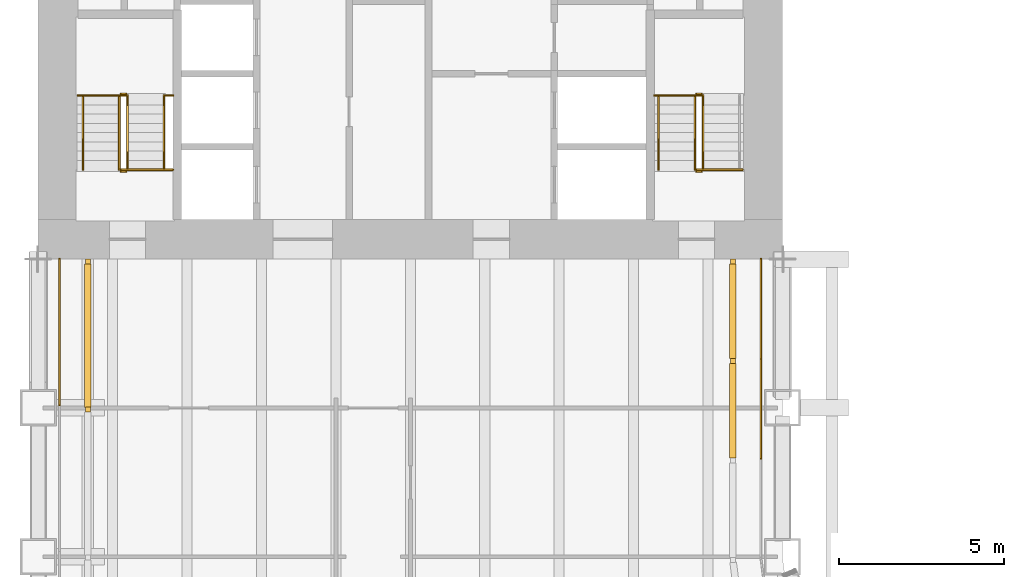
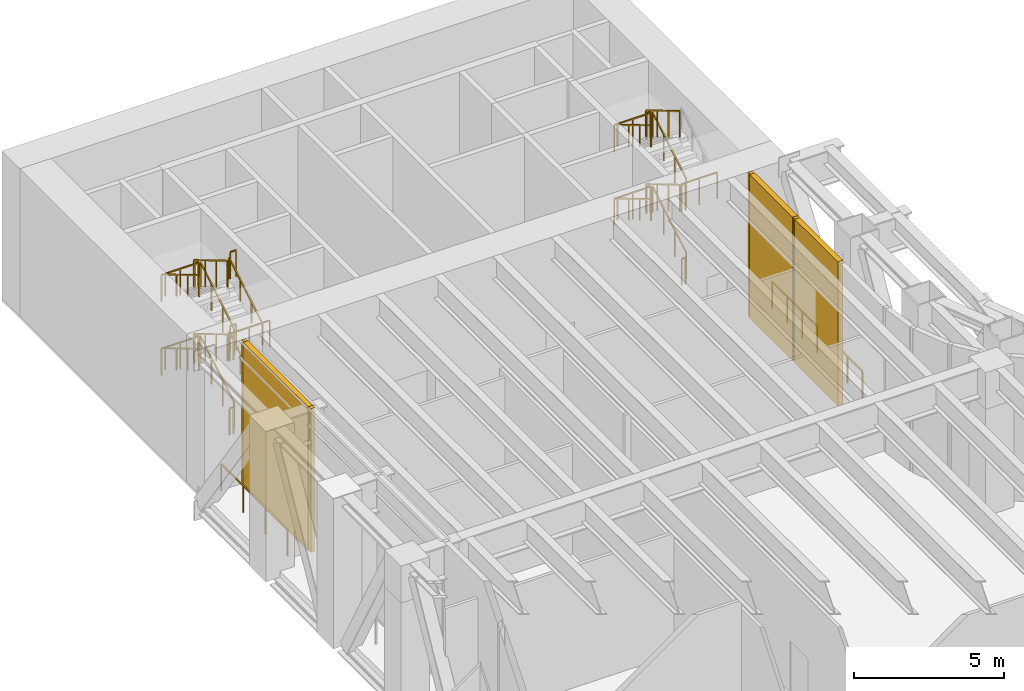
# One storey, part 18 of 19: 33 railings, 7 shading devices.
"""IFC4 building model written with IfcOpenShell, lengths in metres."""

from ifc_helpers import new_model, si_unit, direction, frame, origin, origin_2d, place, context, subcontext, project, spatial, rectangle, extrude, material, layer, layer_set, type_object, element, save


model = new_model("IFC4")

# Units and contexts
model_context = context("Model", 3, precision=1e-05, world=origin(), true_north=direction((0.0, 1.0)))
body_context = subcontext(model_context, "Body", "Model", "MODEL_VIEW")
ifc_project = project(units=[si_unit("LENGTHUNIT", "METRE"), si_unit("AREAUNIT", "SQUARE_METRE"), si_unit("VOLUMEUNIT", "CUBIC_METRE"), si_unit("PLANEANGLEUNIT", "RADIAN"), si_unit("MASSUNIT", "GRAM", prefix="KILO")], contexts=[model_context])

# Site, building, storey
site_placement = place(None, origin())
site = spatial("IfcSite", under=ifc_project, at=site_placement, CompositionType="ELEMENT")
building_placement = place(site_placement, origin())
building = spatial("IfcBuilding", under=site, at=building_placement, Name="Sennacour Bend Tower", CompositionType="ELEMENT")
storey_placement = place(building_placement, frame((0.0, 0.0, 77.0)))
storey = spatial("IfcBuildingStorey", under=building, at=storey_placement, Name="L17", CompositionType="ELEMENT", Elevation=77.0)

# Railings
ifc_material_1 = material(Name="Stainless steel 316", Category="steel")
railing_type_1 = type_object("IfcRailingType", Name="GUARD 1100", PredefinedType="GUARDRAIL", material=ifc_material_1)
for number, where, name in (
    (1, (21.85009765625, 35.9990234375, 0.0), "Guard L17"),
    (2, (21.85009765625, 32.985107421875, 0.0), "Guard L17"),
):
    element("IfcRailing", number, at=place(storey_placement, frame(where)), inside=storey, type_object=railing_type_1, Name=name, PredefinedType="GUARDRAIL", context=body_context, shape_type="SweptSolid", body=[
        extrude(rectangle(XDim=0.048095703125, YDim=0.048095703125, at=origin_2d()), frame((0.0, 0.0, 1.076171875), z_axis=(0.0, -1.0, 0.0), x_axis=(1.0, 0.0, 0.0)), (0.0, 0.0, 1.0), 3.013916015625),
        extrude(rectangle(XDim=0.0419921875, YDim=0.0419921875, at=origin_2d()), origin(), (0.0, 0.0, 1.0), 1.052001953125),
        extrude(rectangle(XDim=0.0419921875, YDim=0.0419921875, at=origin_2d()), frame((0.0, -1.004638671875, 0.0)), (0.0, 0.0, 1.0), 1.052001953125),
        extrude(rectangle(XDim=0.0419921875, YDim=0.0419921875, at=origin_2d()), frame((0.0, -2.00927734375, 0.0)), (0.0, 0.0, 1.0), 1.052001953125),
        extrude(rectangle(XDim=0.0419921875, YDim=0.0419921875, at=origin_2d()), frame((0.0, -3.013916015625, 0.0)), (0.0, 0.0, 1.0), 1.052001953125),
    ])
railing_1_placement = place(storey_placement, frame((0.64990234375, 31.580322265625, 0.0)))
element("IfcRailing", 3, at=railing_1_placement, inside=storey, type_object=railing_type_1, Name="Guard L17", PredefinedType="GUARDRAIL", context=body_context, shape_type="SweptSolid", body=[
    extrude(rectangle(XDim=0.048095703125, YDim=0.048095703125, at=origin_2d()), frame((0.0, 0.0, 1.076171875), z_axis=(0.0, 1.0, 0.0), x_axis=(-1.0, 0.0, 0.0)), (0.0, 0.0, 1.0), 4.418701171875),
    extrude(rectangle(XDim=0.0419921875, YDim=0.0419921875, at=origin_2d()), origin(), (0.0, 0.0, 1.0), 1.052001953125),
    extrude(rectangle(XDim=0.0419921875, YDim=0.0419921875, at=origin_2d()), frame((0.0, 1.472900390625, 0.0)), (0.0, 0.0, 1.0), 1.052001953125),
    extrude(rectangle(XDim=0.0419921875, YDim=0.0419921875, at=origin_2d()), frame((0.0, 2.94580078125, 0.0)), (0.0, 0.0, 1.0), 1.052001953125),
    extrude(rectangle(XDim=0.0419921875, YDim=0.0419921875, at=origin_2d()), frame((0.0, 4.418701171875, 0.0)), (0.0, 0.0, 1.0), 1.052001953125),
])

# Shading devices
ifc_material_2 = material(Name="Dark bronze anodised aluminium louvre", Category="aluminium")
ifc_layer = layer(ifc_material_2, 0.199951171875, Name="Dark bronze anodised aluminium louvre", Category="aluminium")
ifc_layer_set = layer_set([ifc_layer], Name="Dark bronze anodised aluminium louvre")
shading_device_type_1 = type_object("IfcShadingDeviceType", Name="LOUVRE BANK 200", PredefinedType="USERDEFINED", material=ifc_layer_set)
for number, where, z_axis, x_axis, name in (
    (4, (21.0, 34.42041015625, 0.0), (0.0, 0.0, 1.0), (0.0, -1.0, 0.0), "Louvre bank L17"),
    (5, (21.0, 31.412841796875, 0.0), (0.0, 0.0, 1.0), (0.0, -1.0, 0.0), "Louvre bank L17"),
):
    element("IfcShadingDevice", number, at=place(storey_placement, frame(where, z_axis=z_axis, x_axis=x_axis)), inside=storey, type_object=shading_device_type_1, Name=name, ObjectType="LOUVRE", PredefinedType="USERDEFINED", context=body_context, shape_type="SweptSolid", body=[
        extrude(rectangle(XDim=2.867431640625, YDim=0.199951171875, at=origin_2d()), origin(), (0.0, 0.0, 1.0), 5.85009765625),
    ])
shading_device_placement = place(storey_placement, frame((1.5, 33.686767578125, 0.0), z_axis=(0.0, 0.0, 1.0), x_axis=(0.0, 1.0, 0.0)))
element("IfcShadingDevice", 6, at=shading_device_placement, inside=storey, type_object=shading_device_type_1, Name="Louvre bank L17", ObjectType="LOUVRE", PredefinedType="USERDEFINED", context=body_context, shape_type="SweptSolid", body=[
    extrude(rectangle(XDim=4.334716796875, YDim=0.199951171875, at=origin_2d()), origin(), (0.0, 0.0, 1.0), 5.85009765625),
])
shading_device_type_2 = type_object("IfcShadingDeviceType", Name="LOUVRE WALL POST 150", PredefinedType="USERDEFINED", material=ifc_material_2)
for number, where, z_axis, x_axis, name in (
    (7, (21.0, 35.924072265625, 0.0), (0.0, 0.0, 1.0), (1.0, 0.0, 0.0), "Louvre wall post L17"),
    (8, (21.0, 32.91650390625, 0.0), (0.0, 0.0, 1.0), (1.0, 0.0, 0.0), "Louvre wall post L17"),
    (9, (1.5, 31.44921875, 0.0), (0.0, 0.0, 1.0), (1.0, 0.0, 0.0), "Louvre wall post L17"),
    (10, (1.5, 35.924072265625, 0.0), (0.0, 0.0, 1.0), (1.0, 0.0, 0.0), "Louvre wall post L17"),
):
    element("IfcShadingDevice", number, at=place(storey_placement, frame(where, z_axis=z_axis, x_axis=x_axis)), inside=storey, type_object=shading_device_type_2, Name=name, ObjectType="LOUVRE", PredefinedType="USERDEFINED", context=body_context, shape_type="SweptSolid", body=[
        extrude(rectangle(XDim=0.14990234375, YDim=0.14990234375, at=origin_2d()), origin(), (0.0, 0.0, 1.0), 5.85009765625),
    ])

# Railings
ifc_material_3 = material(Name="Stainless steel", Category="steel")
railing_type_2 = type_object("IfcRailingType", Name="RL-GUARD-1100", PredefinedType="GUARDRAIL", material=ifc_material_3)
railing_2_placement = place(storey_placement, frame((2.699951171875, 38.699951171875, 0.166748046875)))
element("IfcRailing", 11, at=railing_2_placement, inside=storey, type_object=railing_type_2, Name="L17 SB1 stair guard 1", PredefinedType="GUARDRAIL", context=body_context, shape_type="SweptSolid", body=[
    extrude(rectangle(XDim=0.048095703125, YDim=0.048095703125, at=origin_2d()), frame((0.0, 0.0, 1.076171875), z_axis=(0.0, 0.859305625298, 0.511462454469), x_axis=(-1.0, 0.0, 0.0)), (0.0, 0.0, 1.0), 2.606689453125),
    extrude(rectangle(XDim=0.0419921875, YDim=0.0419921875, at=origin_2d()), origin(), (0.0, 0.0, 1.0), 1.052001953125),
    extrude(rectangle(XDim=0.0419921875, YDim=0.0419921875, at=origin_2d()), frame((0.0, 0.74658203125, 0.4443359375)), (0.0, 0.0, 1.0), 1.052001953125),
    extrude(rectangle(XDim=0.0419921875, YDim=0.0419921875, at=origin_2d()), frame((0.0, 1.493408203125, 0.888916015625)), (0.0, 0.0, 1.0), 1.052001953125),
    extrude(rectangle(XDim=0.0419921875, YDim=0.0419921875, at=origin_2d()), frame((0.0, 2.239990234375, 1.333251953125)), (0.0, 0.0, 1.0), 1.052001953125),
])
railing_3_placement = place(storey_placement, frame((2.64990234375, 40.989990234375, 1.5)))
element("IfcRailing", 12, at=railing_3_placement, inside=storey, type_object=railing_type_2, Name="L17 SB1 stair guard 2", PredefinedType="GUARDRAIL", context=body_context, shape_type="SweptSolid", body=[
    extrude(rectangle(XDim=0.048095703125, YDim=0.048095703125, at=origin_2d()), frame((0.0, 0.0, 1.076171875), z_axis=(-1.0, 0.0, 0.0), x_axis=(0.0, -1.0, 0.0)), (0.0, 0.0, 1.0), 0.14990234375),
    extrude(rectangle(XDim=0.0419921875, YDim=0.0419921875, at=origin_2d()), origin(), (0.0, 0.0, 1.0), 1.052001953125),
    extrude(rectangle(XDim=0.0419921875, YDim=0.0419921875, at=origin_2d()), frame((-0.14990234375, 0.0, 0.0)), (0.0, 0.0, 1.0), 1.052001953125),
])
railing_4_placement = place(storey_placement, frame((2.449951171875, 40.93994140625, 1.666748046875)))
element("IfcRailing", 13, at=railing_4_placement, inside=storey, type_object=railing_type_2, Name="L17 SB1 stair guard 4", PredefinedType="GUARDRAIL", context=body_context, shape_type="SweptSolid", body=[
    extrude(rectangle(XDim=0.048095703125, YDim=0.048095703125, at=origin_2d()), frame((0.0, 0.0, 1.076171875), z_axis=(0.0, -0.859305625298, 0.511462454469), x_axis=(1.0, 0.0, 0.0)), (0.0, 0.0, 1.0), 2.606689453125),
    extrude(rectangle(XDim=0.0419921875, YDim=0.0419921875, at=origin_2d()), origin(), (0.0, 0.0, 1.0), 1.052001953125),
    extrude(rectangle(XDim=0.0419921875, YDim=0.0419921875, at=origin_2d()), frame((0.0, -0.74658203125, 0.4443359375)), (0.0, 0.0, 1.0), 1.052001953125),
    extrude(rectangle(XDim=0.0419921875, YDim=0.0419921875, at=origin_2d()), frame((0.0, -1.493408203125, 0.888916015625)), (0.0, 0.0, 1.0), 1.052001953125),
    extrude(rectangle(XDim=0.0419921875, YDim=0.0419921875, at=origin_2d()), frame((0.0, -2.239990234375, 1.333251953125)), (0.0, 0.0, 1.0), 1.052001953125),
])
railing_5_placement = place(storey_placement, frame((2.64990234375, 38.64990234375, 3.0)))
element("IfcRailing", 14, at=railing_5_placement, inside=storey, type_object=railing_type_2, Name="L17 SB1 stair guard 5", PredefinedType="GUARDRAIL", context=body_context, shape_type="SweptSolid", body=[
    extrude(rectangle(XDim=0.048095703125, YDim=0.048095703125, at=origin_2d()), frame((0.0, 0.0, 1.076171875), z_axis=(-1.0, 0.0, 0.0), x_axis=(0.0, -1.0, 0.0)), (0.0, 0.0, 1.0), 0.14990234375),
    extrude(rectangle(XDim=0.0419921875, YDim=0.0419921875, at=origin_2d()), origin(), (0.0, 0.0, 1.0), 1.052001953125),
    extrude(rectangle(XDim=0.0419921875, YDim=0.0419921875, at=origin_2d()), frame((-0.14990234375, 0.0, 0.0)), (0.0, 0.0, 1.0), 1.052001953125),
])
railing_6_placement = place(storey_placement, frame((2.699951171875, 38.699951171875, 3.166748046875)))
element("IfcRailing", 15, at=railing_6_placement, inside=storey, type_object=railing_type_2, Name="L17 SB1 stair guard 8", PredefinedType="GUARDRAIL", context=body_context, shape_type="SweptSolid", body=[
    extrude(rectangle(XDim=0.048095703125, YDim=0.048095703125, at=origin_2d()), frame((0.0, 0.0, 1.076171875), z_axis=(0.0, 0.859305625298, 0.511462454469), x_axis=(-1.0, 0.0, 0.0)), (0.0, 0.0, 1.0), 2.606689453125),
    extrude(rectangle(XDim=0.0419921875, YDim=0.0419921875, at=origin_2d()), origin(), (0.0, 0.0, 1.0), 1.052001953125),
    extrude(rectangle(XDim=0.0419921875, YDim=0.0419921875, at=origin_2d()), frame((0.0, 0.74658203125, 0.4443359375)), (0.0, 0.0, 1.0), 1.052001953125),
    extrude(rectangle(XDim=0.0419921875, YDim=0.0419921875, at=origin_2d()), frame((0.0, 1.493408203125, 0.888916015625)), (0.0, 0.0, 1.0), 1.052001953125),
    extrude(rectangle(XDim=0.0419921875, YDim=0.0419921875, at=origin_2d()), frame((0.0, 2.239990234375, 1.333251953125)), (0.0, 0.0, 1.0), 1.052001953125),
])
railing_7_placement = place(storey_placement, frame((2.64990234375, 40.989990234375, 4.5)))
element("IfcRailing", 16, at=railing_7_placement, inside=storey, type_object=railing_type_2, Name="L17 SB1 stair guard 9", PredefinedType="GUARDRAIL", context=body_context, shape_type="SweptSolid", body=[
    extrude(rectangle(XDim=0.048095703125, YDim=0.048095703125, at=origin_2d()), frame((0.0, 0.0, 1.076171875), z_axis=(-1.0, 0.0, 0.0), x_axis=(0.0, -1.0, 0.0)), (0.0, 0.0, 1.0), 0.14990234375),
    extrude(rectangle(XDim=0.0419921875, YDim=0.0419921875, at=origin_2d()), origin(), (0.0, 0.0, 1.0), 1.052001953125),
    extrude(rectangle(XDim=0.0419921875, YDim=0.0419921875, at=origin_2d()), frame((-0.14990234375, 0.0, 0.0)), (0.0, 0.0, 1.0), 1.052001953125),
])
railing_8_placement = place(storey_placement, frame((2.449951171875, 40.93994140625, 4.666748046875)))
element("IfcRailing", 17, at=railing_8_placement, inside=storey, type_object=railing_type_2, Name="L17 SB1 stair guard 11", PredefinedType="GUARDRAIL", context=body_context, shape_type="SweptSolid", body=[
    extrude(rectangle(XDim=0.048095703125, YDim=0.048095703125, at=origin_2d()), frame((0.0, 0.0, 1.076171875), z_axis=(0.0, -0.859305625298, 0.511462454469), x_axis=(1.0, 0.0, 0.0)), (0.0, 0.0, 1.0), 2.606689453125),
    extrude(rectangle(XDim=0.0419921875, YDim=0.0419921875, at=origin_2d()), origin(), (0.0, 0.0, 1.0), 1.052001953125),
    extrude(rectangle(XDim=0.0419921875, YDim=0.0419921875, at=origin_2d()), frame((0.0, -0.74658203125, 0.4443359375)), (0.0, 0.0, 1.0), 1.052001953125),
    extrude(rectangle(XDim=0.0419921875, YDim=0.0419921875, at=origin_2d()), frame((0.0, -1.493408203125, 0.888916015625)), (0.0, 0.0, 1.0), 1.052001953125),
    extrude(rectangle(XDim=0.0419921875, YDim=0.0419921875, at=origin_2d()), frame((0.0, -2.239990234375, 1.333251953125)), (0.0, 0.0, 1.0), 1.052001953125),
])
railing_9_placement = place(storey_placement, frame((2.64990234375, 38.64990234375, 0.0)))
element("IfcRailing", 18, at=railing_9_placement, inside=storey, type_object=railing_type_2, Name="L17 SB1 stair guard 12", PredefinedType="GUARDRAIL", context=body_context, shape_type="SweptSolid", body=[
    extrude(rectangle(XDim=0.048095703125, YDim=0.048095703125, at=origin_2d()), frame((0.0, 0.0, 1.076171875), z_axis=(-1.0, 0.0, 0.0), x_axis=(0.0, -1.0, 0.0)), (0.0, 0.0, 1.0), 0.14990234375),
    extrude(rectangle(XDim=0.0419921875, YDim=0.0419921875, at=origin_2d()), origin(), (0.0, 0.0, 1.0), 1.052001953125),
    extrude(rectangle(XDim=0.0419921875, YDim=0.0419921875, at=origin_2d()), frame((-0.14990234375, 0.0, 0.0)), (0.0, 0.0, 1.0), 1.052001953125),
])
railing_10_placement = place(storey_placement, frame((4.074951171875, 40.93994140625, 1.5)))
element("IfcRailing", 19, at=railing_10_placement, inside=storey, type_object=railing_type_2, Name="L17 SB1 landing edge guard 36", PredefinedType="GUARDRAIL", context=body_context, shape_type="SweptSolid", body=[
    extrude(rectangle(XDim=0.048095703125, YDim=0.048095703125, at=origin_2d()), frame((0.0, 0.0, 1.076171875), z_axis=(-1.0, 0.0, 0.0), x_axis=(0.0, -1.0, 0.0)), (0.0, 0.0, 1.0), 0.224853515625),
    extrude(rectangle(XDim=0.0419921875, YDim=0.0419921875, at=origin_2d()), origin(), (0.0, 0.0, 1.0), 1.052001953125),
    extrude(rectangle(XDim=0.0419921875, YDim=0.0419921875, at=origin_2d()), frame((-0.224853515625, 0.0, 0.0)), (0.0, 0.0, 1.0), 1.052001953125),
])
railing_11_placement = place(storey_placement, frame((2.64990234375, 40.93994140625, 1.5)))
element("IfcRailing", 20, at=railing_11_placement, inside=storey, type_object=railing_type_2, Name="L17 SB1 landing edge guard 37", PredefinedType="GUARDRAIL", context=body_context, shape_type="SweptSolid", body=[
    extrude(rectangle(XDim=0.048095703125, YDim=0.048095703125, at=origin_2d()), frame((0.0, 0.0, 1.076171875), z_axis=(-1.0, 0.0, 0.0), x_axis=(0.0, -1.0, 0.0)), (0.0, 0.0, 1.0), 1.449951171875),
    extrude(rectangle(XDim=0.0419921875, YDim=0.0419921875, at=origin_2d()), origin(), (0.0, 0.0, 1.0), 1.052001953125),
    extrude(rectangle(XDim=0.0419921875, YDim=0.0419921875, at=origin_2d()), frame((-0.72509765625, 0.0, 0.0)), (0.0, 0.0, 1.0), 1.052001953125),
    extrude(rectangle(XDim=0.0419921875, YDim=0.0419921875, at=origin_2d()), frame((-1.449951171875, 0.0, 0.0)), (0.0, 0.0, 1.0), 1.052001953125),
])
railing_12_placement = place(storey_placement, frame((2.5, 38.699951171875, 3.0)))
element("IfcRailing", 21, at=railing_12_placement, inside=storey, type_object=railing_type_2, Name="L17 SB1 landing edge guard 38", PredefinedType="GUARDRAIL", context=body_context, shape_type="SweptSolid", body=[
    extrude(rectangle(XDim=0.048095703125, YDim=0.048095703125, at=origin_2d()), frame((0.0, 0.0, 1.076171875), z_axis=(1.0, 0.0, 0.0), x_axis=(0.0, 1.0, 0.0)), (0.0, 0.0, 1.0), 1.574951171875),
    extrude(rectangle(XDim=0.0419921875, YDim=0.0419921875, at=origin_2d()), origin(), (0.0, 0.0, 1.0), 1.052001953125),
    extrude(rectangle(XDim=0.0419921875, YDim=0.0419921875, at=origin_2d()), frame((0.78759765625, 0.0, 0.0)), (0.0, 0.0, 1.0), 1.052001953125),
    extrude(rectangle(XDim=0.0419921875, YDim=0.0419921875, at=origin_2d()), frame((1.574951171875, 0.0, 0.0)), (0.0, 0.0, 1.0), 1.052001953125),
])
railing_13_placement = place(storey_placement, frame((4.074951171875, 40.93994140625, 4.5)))
element("IfcRailing", 22, at=railing_13_placement, inside=storey, type_object=railing_type_2, Name="L17 SB1 landing edge guard 39", PredefinedType="GUARDRAIL", context=body_context, shape_type="SweptSolid", body=[
    extrude(rectangle(XDim=0.048095703125, YDim=0.048095703125, at=origin_2d()), frame((0.0, 0.0, 1.076171875), z_axis=(-1.0, 0.0, 0.0), x_axis=(0.0, -1.0, 0.0)), (0.0, 0.0, 1.0), 0.224853515625),
    extrude(rectangle(XDim=0.0419921875, YDim=0.0419921875, at=origin_2d()), origin(), (0.0, 0.0, 1.0), 1.052001953125),
    extrude(rectangle(XDim=0.0419921875, YDim=0.0419921875, at=origin_2d()), frame((-0.224853515625, 0.0, 0.0)), (0.0, 0.0, 1.0), 1.052001953125),
])
railing_14_placement = place(storey_placement, frame((2.64990234375, 40.93994140625, 4.5)))
element("IfcRailing", 23, at=railing_14_placement, inside=storey, type_object=railing_type_2, Name="L17 SB1 landing edge guard 40", PredefinedType="GUARDRAIL", context=body_context, shape_type="SweptSolid", body=[
    extrude(rectangle(XDim=0.048095703125, YDim=0.048095703125, at=origin_2d()), frame((0.0, 0.0, 1.076171875), z_axis=(-1.0, 0.0, 0.0), x_axis=(0.0, -1.0, 0.0)), (0.0, 0.0, 1.0), 1.449951171875),
    extrude(rectangle(XDim=0.0419921875, YDim=0.0419921875, at=origin_2d()), origin(), (0.0, 0.0, 1.0), 1.052001953125),
    extrude(rectangle(XDim=0.0419921875, YDim=0.0419921875, at=origin_2d()), frame((-0.72509765625, 0.0, 0.0)), (0.0, 0.0, 1.0), 1.052001953125),
    extrude(rectangle(XDim=0.0419921875, YDim=0.0419921875, at=origin_2d()), frame((-1.449951171875, 0.0, 0.0)), (0.0, 0.0, 1.0), 1.052001953125),
])
railing_15_placement = place(storey_placement, frame((20.10009765625, 38.699951171875, 0.166748046875)))
element("IfcRailing", 24, at=railing_15_placement, inside=storey, type_object=railing_type_2, Name="L17 SB2 stair guard 1", PredefinedType="GUARDRAIL", context=body_context, shape_type="SweptSolid", body=[
    extrude(rectangle(XDim=0.048095703125, YDim=0.048095703125, at=origin_2d()), frame((0.0, 0.0, 1.076171875), z_axis=(0.0, 0.859305625298, 0.511462454469), x_axis=(-1.0, 0.0, 0.0)), (0.0, 0.0, 1.0), 2.606689453125),
    extrude(rectangle(XDim=0.0419921875, YDim=0.0419921875, at=origin_2d()), origin(), (0.0, 0.0, 1.0), 1.052001953125),
    extrude(rectangle(XDim=0.0419921875, YDim=0.0419921875, at=origin_2d()), frame((0.0, 0.74658203125, 0.4443359375)), (0.0, 0.0, 1.0), 1.052001953125),
    extrude(rectangle(XDim=0.0419921875, YDim=0.0419921875, at=origin_2d()), frame((0.0, 1.493408203125, 0.888916015625)), (0.0, 0.0, 1.0), 1.052001953125),
    extrude(rectangle(XDim=0.0419921875, YDim=0.0419921875, at=origin_2d()), frame((0.0, 2.239990234375, 1.333251953125)), (0.0, 0.0, 1.0), 1.052001953125),
])
railing_16_placement = place(storey_placement, frame((20.050048828125, 40.989990234375, 1.5)))
element("IfcRailing", 25, at=railing_16_placement, inside=storey, type_object=railing_type_2, Name="L17 SB2 stair guard 2", PredefinedType="GUARDRAIL", context=body_context, shape_type="SweptSolid", body=[
    extrude(rectangle(XDim=0.048095703125, YDim=0.048095703125, at=origin_2d()), frame((0.0, 0.0, 1.076171875), z_axis=(-1.0, 0.0, 0.0), x_axis=(0.0, -1.0, 0.0)), (0.0, 0.0, 1.0), 0.150146484375),
    extrude(rectangle(XDim=0.0419921875, YDim=0.0419921875, at=origin_2d()), origin(), (0.0, 0.0, 1.0), 1.052001953125),
    extrude(rectangle(XDim=0.0419921875, YDim=0.0419921875, at=origin_2d()), frame((-0.150146484375, 0.0, 0.0)), (0.0, 0.0, 1.0), 1.052001953125),
])
railing_17_placement = place(storey_placement, frame((19.85009765625, 40.93994140625, 1.666748046875)))
element("IfcRailing", 26, at=railing_17_placement, inside=storey, type_object=railing_type_2, Name="L17 SB2 stair guard 4", PredefinedType="GUARDRAIL", context=body_context, shape_type="SweptSolid", body=[
    extrude(rectangle(XDim=0.048095703125, YDim=0.048095703125, at=origin_2d()), frame((0.0, 0.0, 1.076171875), z_axis=(0.0, -0.859305625298, 0.511462454469), x_axis=(1.0, 0.0, 0.0)), (0.0, 0.0, 1.0), 2.606689453125),
    extrude(rectangle(XDim=0.0419921875, YDim=0.0419921875, at=origin_2d()), origin(), (0.0, 0.0, 1.0), 1.052001953125),
    extrude(rectangle(XDim=0.0419921875, YDim=0.0419921875, at=origin_2d()), frame((0.0, -0.74658203125, 0.4443359375)), (0.0, 0.0, 1.0), 1.052001953125),
    extrude(rectangle(XDim=0.0419921875, YDim=0.0419921875, at=origin_2d()), frame((0.0, -1.493408203125, 0.888916015625)), (0.0, 0.0, 1.0), 1.052001953125),
    extrude(rectangle(XDim=0.0419921875, YDim=0.0419921875, at=origin_2d()), frame((0.0, -2.239990234375, 1.333251953125)), (0.0, 0.0, 1.0), 1.052001953125),
])
railing_18_placement = place(storey_placement, frame((20.050048828125, 38.64990234375, 3.0)))
element("IfcRailing", 27, at=railing_18_placement, inside=storey, type_object=railing_type_2, Name="L17 SB2 stair guard 5", PredefinedType="GUARDRAIL", context=body_context, shape_type="SweptSolid", body=[
    extrude(rectangle(XDim=0.048095703125, YDim=0.048095703125, at=origin_2d()), frame((0.0, 0.0, 1.076171875), z_axis=(-1.0, 0.0, 0.0), x_axis=(0.0, -1.0, 0.0)), (0.0, 0.0, 1.0), 0.150146484375),
    extrude(rectangle(XDim=0.0419921875, YDim=0.0419921875, at=origin_2d()), origin(), (0.0, 0.0, 1.0), 1.052001953125),
    extrude(rectangle(XDim=0.0419921875, YDim=0.0419921875, at=origin_2d()), frame((-0.150146484375, 0.0, 0.0)), (0.0, 0.0, 1.0), 1.052001953125),
])
railing_19_placement = place(storey_placement, frame((20.10009765625, 38.699951171875, 3.166748046875)))
element("IfcRailing", 28, at=railing_19_placement, inside=storey, type_object=railing_type_2, Name="L17 SB2 stair guard 8", PredefinedType="GUARDRAIL", context=body_context, shape_type="SweptSolid", body=[
    extrude(rectangle(XDim=0.048095703125, YDim=0.048095703125, at=origin_2d()), frame((0.0, 0.0, 1.076171875), z_axis=(0.0, 0.859305625298, 0.511462454469), x_axis=(-1.0, 0.0, 0.0)), (0.0, 0.0, 1.0), 2.606689453125),
    extrude(rectangle(XDim=0.0419921875, YDim=0.0419921875, at=origin_2d()), origin(), (0.0, 0.0, 1.0), 1.052001953125),
    extrude(rectangle(XDim=0.0419921875, YDim=0.0419921875, at=origin_2d()), frame((0.0, 0.74658203125, 0.4443359375)), (0.0, 0.0, 1.0), 1.052001953125),
    extrude(rectangle(XDim=0.0419921875, YDim=0.0419921875, at=origin_2d()), frame((0.0, 1.493408203125, 0.888916015625)), (0.0, 0.0, 1.0), 1.052001953125),
    extrude(rectangle(XDim=0.0419921875, YDim=0.0419921875, at=origin_2d()), frame((0.0, 2.239990234375, 1.333251953125)), (0.0, 0.0, 1.0), 1.052001953125),
])
railing_20_placement = place(storey_placement, frame((20.050048828125, 40.989990234375, 4.5)))
element("IfcRailing", 29, at=railing_20_placement, inside=storey, type_object=railing_type_2, Name="L17 SB2 stair guard 9", PredefinedType="GUARDRAIL", context=body_context, shape_type="SweptSolid", body=[
    extrude(rectangle(XDim=0.048095703125, YDim=0.048095703125, at=origin_2d()), frame((0.0, 0.0, 1.076171875), z_axis=(-1.0, 0.0, 0.0), x_axis=(0.0, -1.0, 0.0)), (0.0, 0.0, 1.0), 0.150146484375),
    extrude(rectangle(XDim=0.0419921875, YDim=0.0419921875, at=origin_2d()), origin(), (0.0, 0.0, 1.0), 1.052001953125),
    extrude(rectangle(XDim=0.0419921875, YDim=0.0419921875, at=origin_2d()), frame((-0.150146484375, 0.0, 0.0)), (0.0, 0.0, 1.0), 1.052001953125),
])
railing_21_placement = place(storey_placement, frame((19.85009765625, 40.93994140625, 4.666748046875)))
element("IfcRailing", 30, at=railing_21_placement, inside=storey, type_object=railing_type_2, Name="L17 SB2 stair guard 11", PredefinedType="GUARDRAIL", context=body_context, shape_type="SweptSolid", body=[
    extrude(rectangle(XDim=0.048095703125, YDim=0.048095703125, at=origin_2d()), frame((0.0, 0.0, 1.076171875), z_axis=(0.0, -0.859305625298, 0.511462454469), x_axis=(1.0, 0.0, 0.0)), (0.0, 0.0, 1.0), 2.606689453125),
    extrude(rectangle(XDim=0.0419921875, YDim=0.0419921875, at=origin_2d()), origin(), (0.0, 0.0, 1.0), 1.052001953125),
    extrude(rectangle(XDim=0.0419921875, YDim=0.0419921875, at=origin_2d()), frame((0.0, -0.74658203125, 0.4443359375)), (0.0, 0.0, 1.0), 1.052001953125),
    extrude(rectangle(XDim=0.0419921875, YDim=0.0419921875, at=origin_2d()), frame((0.0, -1.493408203125, 0.888916015625)), (0.0, 0.0, 1.0), 1.052001953125),
    extrude(rectangle(XDim=0.0419921875, YDim=0.0419921875, at=origin_2d()), frame((0.0, -2.239990234375, 1.333251953125)), (0.0, 0.0, 1.0), 1.052001953125),
])
railing_22_placement = place(storey_placement, frame((20.050048828125, 38.64990234375, 0.0)))
element("IfcRailing", 31, at=railing_22_placement, inside=storey, type_object=railing_type_2, Name="L17 SB2 stair guard 12", PredefinedType="GUARDRAIL", context=body_context, shape_type="SweptSolid", body=[
    extrude(rectangle(XDim=0.048095703125, YDim=0.048095703125, at=origin_2d()), frame((0.0, 0.0, 1.076171875), z_axis=(-1.0, 0.0, 0.0), x_axis=(0.0, -1.0, 0.0)), (0.0, 0.0, 1.0), 0.150146484375),
    extrude(rectangle(XDim=0.0419921875, YDim=0.0419921875, at=origin_2d()), origin(), (0.0, 0.0, 1.0), 1.052001953125),
    extrude(rectangle(XDim=0.0419921875, YDim=0.0419921875, at=origin_2d()), frame((-0.150146484375, 0.0, 0.0)), (0.0, 0.0, 1.0), 1.052001953125),
])
railing_23_placement = place(storey_placement, frame((20.050048828125, 40.93994140625, 1.5)))
element("IfcRailing", 32, at=railing_23_placement, inside=storey, type_object=railing_type_2, Name="L17 SB2 landing edge guard 28", PredefinedType="GUARDRAIL", context=body_context, shape_type="SweptSolid", body=[
    extrude(rectangle(XDim=0.048095703125, YDim=0.048095703125, at=origin_2d()), frame((0.0, 0.0, 1.076171875), z_axis=(-1.0, 0.0, 0.0), x_axis=(0.0, -1.0, 0.0)), (0.0, 0.0, 1.0), 1.425048828125),
    extrude(rectangle(XDim=0.0419921875, YDim=0.0419921875, at=origin_2d()), origin(), (0.0, 0.0, 1.0), 1.052001953125),
    extrude(rectangle(XDim=0.0419921875, YDim=0.0419921875, at=origin_2d()), frame((-0.71240234375, 0.0, 0.0)), (0.0, 0.0, 1.0), 1.052001953125),
    extrude(rectangle(XDim=0.0419921875, YDim=0.0419921875, at=origin_2d()), frame((-1.425048828125, 0.0, 0.0)), (0.0, 0.0, 1.0), 1.052001953125),
])
railing_24_placement = place(storey_placement, frame((19.89990234375, 38.699951171875, 3.0)))
element("IfcRailing", 33, at=railing_24_placement, inside=storey, type_object=railing_type_2, Name="L17 SB2 landing edge guard 29", PredefinedType="GUARDRAIL", context=body_context, shape_type="SweptSolid", body=[
    extrude(rectangle(XDim=0.048095703125, YDim=0.048095703125, at=origin_2d()), frame((0.0, 0.0, 1.076171875), z_axis=(1.0, 0.0, 0.0), x_axis=(0.0, 1.0, 0.0)), (0.0, 0.0, 1.0), 1.400146484375),
    extrude(rectangle(XDim=0.0419921875, YDim=0.0419921875, at=origin_2d()), origin(), (0.0, 0.0, 1.0), 1.052001953125),
    extrude(rectangle(XDim=0.0419921875, YDim=0.0419921875, at=origin_2d()), frame((0.7001953125, 0.0, 0.0)), (0.0, 0.0, 1.0), 1.052001953125),
    extrude(rectangle(XDim=0.0419921875, YDim=0.0419921875, at=origin_2d()), frame((1.400146484375, 0.0, 0.0)), (0.0, 0.0, 1.0), 1.052001953125),
])
railing_25_placement = place(storey_placement, frame((20.050048828125, 40.93994140625, 4.5)))
element("IfcRailing", 34, at=railing_25_placement, inside=storey, type_object=railing_type_2, Name="L17 SB2 landing edge guard 30", PredefinedType="GUARDRAIL", context=body_context, shape_type="SweptSolid", body=[
    extrude(rectangle(XDim=0.048095703125, YDim=0.048095703125, at=origin_2d()), frame((0.0, 0.0, 1.076171875), z_axis=(-1.0, 0.0, 0.0), x_axis=(0.0, -1.0, 0.0)), (0.0, 0.0, 1.0), 1.425048828125),
    extrude(rectangle(XDim=0.0419921875, YDim=0.0419921875, at=origin_2d()), origin(), (0.0, 0.0, 1.0), 1.052001953125),
    extrude(rectangle(XDim=0.0419921875, YDim=0.0419921875, at=origin_2d()), frame((-0.71240234375, 0.0, 0.0)), (0.0, 0.0, 1.0), 1.052001953125),
    extrude(rectangle(XDim=0.0419921875, YDim=0.0419921875, at=origin_2d()), frame((-1.425048828125, 0.0, 0.0)), (0.0, 0.0, 1.0), 1.052001953125),
])
railing_type_3 = type_object("IfcRailingType", Name="RL-HANDRAIL-900", PredefinedType="HANDRAIL", material=ifc_material_3)
railing_26_placement = place(storey_placement, frame((3.800048828125, 38.699951171875, 0.166748046875)))
element("IfcRailing", 35, at=railing_26_placement, inside=storey, type_object=railing_type_3, Name="L17 SB1 stair handrail 1", PredefinedType="HANDRAIL", context=body_context, shape_type="SweptSolid", body=[
    extrude(rectangle(XDim=0.048095703125, YDim=0.048095703125, at=origin_2d()), frame((0.0, 0.0, 0.8759765625), z_axis=(0.0, 0.859305625298, 0.511462454469), x_axis=(-1.0, 0.0, 0.0)), (0.0, 0.0, 1.0), 2.606689453125),
    extrude(rectangle(XDim=0.0419921875, YDim=0.0419921875, at=origin_2d()), origin(), (0.0, 0.0, 1.0), 0.851806640625),
    extrude(rectangle(XDim=0.0419921875, YDim=0.0419921875, at=origin_2d()), frame((0.0, 0.74658203125, 0.4443359375)), (0.0, 0.0, 1.0), 0.851806640625),
    extrude(rectangle(XDim=0.0419921875, YDim=0.0419921875, at=origin_2d()), frame((0.0, 1.493408203125, 0.888916015625)), (0.0, 0.0, 1.0), 0.851806640625),
    extrude(rectangle(XDim=0.0419921875, YDim=0.0419921875, at=origin_2d()), frame((0.0, 2.239990234375, 1.333251953125)), (0.0, 0.0, 1.0), 0.851806640625),
])
railing_27_placement = place(storey_placement, frame((1.35009765625, 40.93994140625, 1.666748046875)))
element("IfcRailing", 36, at=railing_27_placement, inside=storey, type_object=railing_type_3, Name="L17 SB1 stair handrail 2", PredefinedType="HANDRAIL", context=body_context, shape_type="SweptSolid", body=[
    extrude(rectangle(XDim=0.048095703125, YDim=0.048095703125, at=origin_2d()), frame((0.0, 0.0, 0.8759765625), z_axis=(0.0, -0.859305625298, 0.511462454469), x_axis=(1.0, 0.0, 0.0)), (0.0, 0.0, 1.0), 2.606689453125),
    extrude(rectangle(XDim=0.0419921875, YDim=0.0419921875, at=origin_2d()), origin(), (0.0, 0.0, 1.0), 0.851806640625),
    extrude(rectangle(XDim=0.0419921875, YDim=0.0419921875, at=origin_2d()), frame((0.0, -0.74658203125, 0.4443359375)), (0.0, 0.0, 1.0), 0.851806640625),
    extrude(rectangle(XDim=0.0419921875, YDim=0.0419921875, at=origin_2d()), frame((0.0, -1.493408203125, 0.888916015625)), (0.0, 0.0, 1.0), 0.851806640625),
    extrude(rectangle(XDim=0.0419921875, YDim=0.0419921875, at=origin_2d()), frame((0.0, -2.239990234375, 1.333251953125)), (0.0, 0.0, 1.0), 0.851806640625),
])
railing_28_placement = place(storey_placement, frame((3.800048828125, 38.699951171875, 3.166748046875)))
element("IfcRailing", 37, at=railing_28_placement, inside=storey, type_object=railing_type_3, Name="L17 SB1 stair handrail 3", PredefinedType="HANDRAIL", context=body_context, shape_type="SweptSolid", body=[
    extrude(rectangle(XDim=0.048095703125, YDim=0.048095703125, at=origin_2d()), frame((0.0, 0.0, 0.8759765625), z_axis=(0.0, 0.859305625298, 0.511462454469), x_axis=(-1.0, 0.0, 0.0)), (0.0, 0.0, 1.0), 2.606689453125),
    extrude(rectangle(XDim=0.0419921875, YDim=0.0419921875, at=origin_2d()), origin(), (0.0, 0.0, 1.0), 0.851806640625),
    extrude(rectangle(XDim=0.0419921875, YDim=0.0419921875, at=origin_2d()), frame((0.0, 0.74658203125, 0.4443359375)), (0.0, 0.0, 1.0), 0.851806640625),
    extrude(rectangle(XDim=0.0419921875, YDim=0.0419921875, at=origin_2d()), frame((0.0, 1.493408203125, 0.888916015625)), (0.0, 0.0, 1.0), 0.851806640625),
    extrude(rectangle(XDim=0.0419921875, YDim=0.0419921875, at=origin_2d()), frame((0.0, 2.239990234375, 1.333251953125)), (0.0, 0.0, 1.0), 0.851806640625),
])
for number, where, name in (
    (38, (1.35009765625, 40.93994140625, 4.666748046875), "L17 SB1 stair handrail 4"),
    (39, (18.75, 40.93994140625, 1.666748046875), "L17 SB2 stair handrail 2"),
    (40, (18.75, 40.93994140625, 4.666748046875), "L17 SB2 stair handrail 4"),
):
    element("IfcRailing", number, at=place(storey_placement, frame(where)), inside=storey, type_object=railing_type_3, Name=name, PredefinedType="HANDRAIL", context=body_context, shape_type="SweptSolid", body=[
        extrude(rectangle(XDim=0.048095703125, YDim=0.048095703125, at=origin_2d()), frame((0.0, 0.0, 0.8759765625), z_axis=(0.0, -0.859305625298, 0.511462454469), x_axis=(1.0, 0.0, 0.0)), (0.0, 0.0, 1.0), 2.606689453125),
        extrude(rectangle(XDim=0.0419921875, YDim=0.0419921875, at=origin_2d()), origin(), (0.0, 0.0, 1.0), 0.851806640625),
        extrude(rectangle(XDim=0.0419921875, YDim=0.0419921875, at=origin_2d()), frame((0.0, -0.74658203125, 0.4443359375)), (0.0, 0.0, 1.0), 0.851806640625),
        extrude(rectangle(XDim=0.0419921875, YDim=0.0419921875, at=origin_2d()), frame((0.0, -1.493408203125, 0.888916015625)), (0.0, 0.0, 1.0), 0.851806640625),
        extrude(rectangle(XDim=0.0419921875, YDim=0.0419921875, at=origin_2d()), frame((0.0, -2.239990234375, 1.333251953125)), (0.0, 0.0, 1.0), 0.851806640625),
    ])

save(model, "model.ifc")
